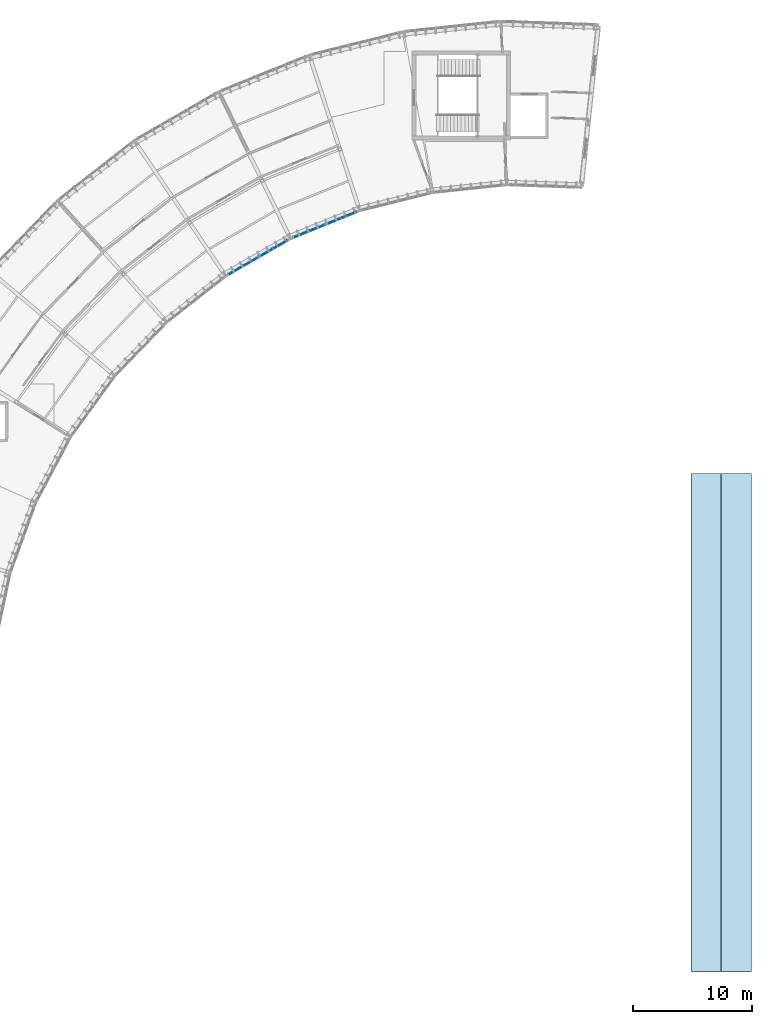
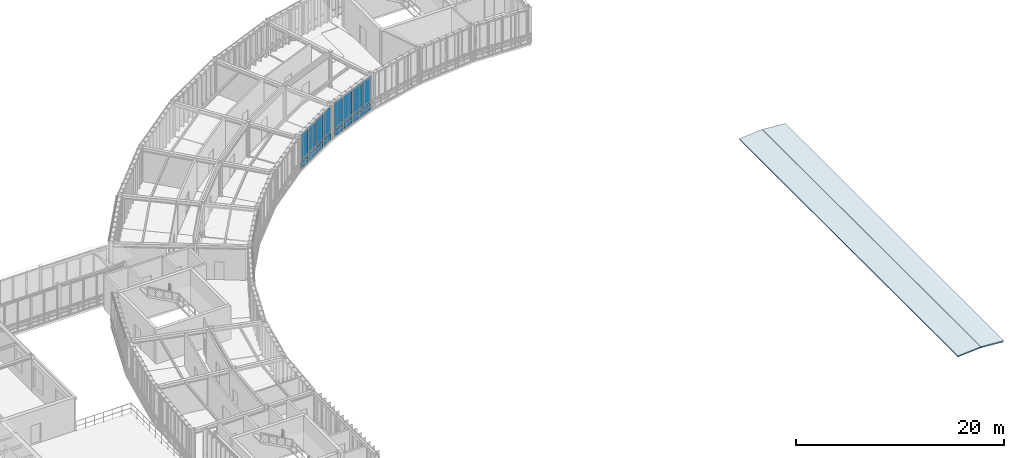
# One storey, part 27 of 52: 16 plates, 2 slabs, 2 elements without a shape of their own.
"""IFC4 building model written with IfcOpenShell, lengths in metres."""

from ifc_helpers import new_model, si_unit, direction, frame, origin, origin_2d, place, context, subcontext, project, spatial, polyline, rectangle, outline, extrude, material, layer, layer_set, type_object, element, aggregate, save


model = new_model("IFC4")

# Units and contexts
model_context = context("Model", 3, precision=1e-05, world=origin(), true_north=direction((0.0, 1.0)))
body_context = subcontext(model_context, "Body", "Model", "MODEL_VIEW")
ifc_project = project(units=[si_unit("LENGTHUNIT", "METRE"), si_unit("AREAUNIT", "SQUARE_METRE"), si_unit("VOLUMEUNIT", "CUBIC_METRE"), si_unit("PLANEANGLEUNIT", "RADIAN"), si_unit("MASSUNIT", "GRAM", prefix="KILO"), si_unit("THERMODYNAMICTEMPERATUREUNIT", "KELVIN"), si_unit("POWERUNIT", "WATT")], contexts=[model_context])

# Site, building, storey
site_placement = place(None, origin())
site = spatial("IfcSite", under=ifc_project, at=site_placement, CompositionType="ELEMENT")
building_placement = place(site_placement, origin())
building = spatial("IfcBuilding", under=site, at=building_placement, Name="Solvatero Civic Police Headquarters", CompositionType="ELEMENT")
storey_placement = place(building_placement, frame((0.0, 0.0, 13.5)))
storey = spatial("IfcBuildingStorey", under=building, at=storey_placement, Name="L03", CompositionType="ELEMENT", Elevation=13.5)

# Curtain wall, plates
ifc_material_1 = material(Name="Anodized Bronze Aluminium", Category="aluminium")
ifc_layer_1 = layer(ifc_material_1, 0.179931640625)
ifc_layer_set_1 = layer_set([ifc_layer_1], Name="Anodized Bronze Aluminium")
curtain_wall_type = type_object("IfcCurtainWallType", Name="CW-ARC-IN", PredefinedType="USERDEFINED", material=ifc_layer_set_1)
curtain_wall_1_placement = place(storey_placement, origin())
curtain_wall_1 = element("IfcCurtainWall", 1, at=curtain_wall_1_placement, inside=storey, type_object=curtain_wall_type, Name="Curtain Wall CW-R2-L03-ARC-IN-B04", ObjectType="UNITISED", PredefinedType="USERDEFINED")
ifc_material_2 = material(Name="Triple Low-E Laminated Glass", Category="glass")
ifc_layer_2 = layer(ifc_material_2, 0.0380859375)
ifc_layer_set_2 = layer_set([ifc_layer_2], Name="Triple Low-E Laminated Glass")
plate_type_1 = type_object("IfcPlateType", Name="CWP-GLZ-38", PredefinedType="CURTAIN_PANEL", material=ifc_layer_set_2)
plate_1_placement = place(storey_placement, frame((79.171875, 68.553955078125, 0.91015625), z_axis=(0.0, 0.0, 1.0), x_axis=(-0.927183854567, -0.374606593416, 0.0)))
plate_1 = element("IfcPlate", 2, at=plate_1_placement, type_object=plate_type_1, Name="CW-R2-L03-ARC-IN-B04 Vision Glazing 1", PredefinedType="CURTAIN_PANEL", context=body_context, shape_type="SweptSolid", body=[
    extrude(rectangle(XDim=1.28173828125, YDim=0.0380859375, at=origin_2d()), origin(), (0.0, 0.0, 1.0), 3.030029296875),
])
plate_2_placement = place(storey_placement, frame((76.461181640625, 67.458984375, 0.91015625), z_axis=(0.0, 0.0, 1.0), x_axis=(-0.927183854567, -0.374606593416, 0.0)))
plate_2 = element("IfcPlate", 3, at=plate_2_placement, type_object=plate_type_1, Name="CW-R2-L03-ARC-IN-B04 Vision Glazing 3", PredefinedType="CURTAIN_PANEL", context=body_context, shape_type="SweptSolid", body=[
    extrude(rectangle(XDim=1.28173828125, YDim=0.0380859375, at=origin_2d()), origin(), (0.0, 0.0, 1.0), 3.030029296875),
])

curtain_wall_2_placement = place(storey_placement, origin())
curtain_wall_2 = element("IfcCurtainWall", 4, at=curtain_wall_2_placement, inside=storey, type_object=curtain_wall_type, Name="Curtain Wall CW-R2-L03-ARC-IN-B05", ObjectType="UNITISED", PredefinedType="USERDEFINED")
plate_3_placement = place(storey_placement, frame((73.393798828125, 66.076416015625, 0.91015625), z_axis=(0.0, 0.0, 1.0), x_axis=(-0.866025403784, -0.5, 0.0)))
plate_3 = element("IfcPlate", 5, at=plate_3_placement, type_object=plate_type_1, Name="CW-R2-L03-ARC-IN-B05 Vision Glazing 1", PredefinedType="CURTAIN_PANEL", context=body_context, shape_type="SweptSolid", body=[
    extrude(rectangle(XDim=1.28173828125, YDim=0.0380859375, at=origin_2d()), origin(), (0.0, 0.0, 1.0), 3.030029296875),
])
plate_4_placement = place(storey_placement, frame((70.862060546875, 64.614501953125, 0.91015625), z_axis=(0.0, 0.0, 1.0), x_axis=(-0.866025403784, -0.5, 0.0)))
plate_4 = element("IfcPlate", 6, at=plate_4_placement, type_object=plate_type_1, Name="CW-R2-L03-ARC-IN-B05 Vision Glazing 3", PredefinedType="CURTAIN_PANEL", context=body_context, shape_type="SweptSolid", body=[
    extrude(rectangle(XDim=1.28173828125, YDim=0.0380859375, at=origin_2d()), origin(), (0.0, 0.0, 1.0), 3.030029296875),
])

# Plate
ifc_material_3 = material(Name="Acoustic Ballistic Laminated Glass", Category="glass")
ifc_layer_3 = layer(ifc_material_3, 0.0439453125)
ifc_layer_set_3 = layer_set([ifc_layer_3], Name="Acoustic Ballistic Laminated Glass")
plate_type_2 = type_object("IfcPlateType", Name="CWP-GLZ-44", PredefinedType="CURTAIN_PANEL", material=ifc_layer_set_3)
plate_5_placement = place(storey_placement, frame((77.816650390625, 68.00634765625, 0.91015625), z_axis=(0.0, 0.0, 1.0), x_axis=(-0.927183854567, -0.374606593416, 0.0)))
plate_5 = element("IfcPlate", 7, at=plate_5_placement, type_object=plate_type_2, Name="CW-R2-L03-ARC-IN-B04 Vision Glazing 2", PredefinedType="CURTAIN_PANEL", context=body_context, shape_type="SweptSolid", body=[
    extrude(rectangle(XDim=1.28173828125, YDim=0.0439453125, at=origin_2d()), origin(), (0.0, 0.0, 1.0), 3.030029296875),
])

plate_6_placement = place(storey_placement, frame((75.10595703125, 66.911376953125, 0.91015625), z_axis=(0.0, 0.0, 1.0), x_axis=(-0.927183854567, -0.374606593416, 0.0)))
plate_6 = element("IfcPlate", 8, at=plate_6_placement, type_object=plate_type_2, Name="CW-R2-L03-ARC-IN-B04 Vision Glazing 4", PredefinedType="CURTAIN_PANEL", context=body_context, shape_type="SweptSolid", body=[
    extrude(rectangle(XDim=1.28173828125, YDim=0.0439453125, at=origin_2d()), origin(), (0.0, 0.0, 1.0), 3.030029296875),
])

plate_7_placement = place(storey_placement, frame((72.1279296875, 65.345458984375, 0.91015625), z_axis=(0.0, 0.0, 1.0), x_axis=(-0.866025403784, -0.5, 0.0)))
plate_7 = element("IfcPlate", 9, at=plate_7_placement, type_object=plate_type_2, Name="CW-R2-L03-ARC-IN-B05 Vision Glazing 2", PredefinedType="CURTAIN_PANEL", context=body_context, shape_type="SweptSolid", body=[
    extrude(rectangle(XDim=1.28173828125, YDim=0.0439453125, at=origin_2d()), origin(), (0.0, 0.0, 1.0), 3.030029296875),
])

plate_8_placement = place(storey_placement, frame((69.59619140625, 63.8837890625, 0.91015625), z_axis=(0.0, 0.0, 1.0), x_axis=(-0.866025403784, -0.5, 0.0)))
plate_8 = element("IfcPlate", 10, at=plate_8_placement, type_object=plate_type_2, Name="CW-R2-L03-ARC-IN-B05 Vision Glazing 4", PredefinedType="CURTAIN_PANEL", context=body_context, shape_type="SweptSolid", body=[
    extrude(rectangle(XDim=1.28173828125, YDim=0.0439453125, at=origin_2d()), origin(), (0.0, 0.0, 1.0), 3.030029296875),
])

ifc_material_4 = material(Name="Insulated Bronze Aluminium Spandrel", Category="aluminium")
ifc_layer_4 = layer(ifc_material_4, 0.06005859375)
ifc_layer_set_4 = layer_set([ifc_layer_4], Name="Insulated Bronze Aluminium Spandrel")
plate_type_3 = type_object("IfcPlateType", Name="CWP-SPN-60", PredefinedType="CURTAIN_PANEL", material=ifc_layer_set_4)
plate_9_placement = place(storey_placement, frame((79.171875, 68.553955078125, 0.06005859375), z_axis=(0.0, 0.0, 1.0), x_axis=(-0.927183854567, -0.374606593416, 0.0)))
plate_9 = element("IfcPlate", 11, at=plate_9_placement, type_object=plate_type_3, Name="CW-R2-L03-ARC-IN-B04 Spandrel Panel 1", PredefinedType="CURTAIN_PANEL", context=body_context, shape_type="SweptSolid", body=[
    extrude(rectangle(XDim=1.28173828125, YDim=0.06005859375, at=origin_2d()), origin(), (0.0, 0.0, 1.0), 0.72998046875),
])

plate_10_placement = place(storey_placement, frame((76.461181640625, 67.458984375, 0.06005859375), z_axis=(0.0, 0.0, 1.0), x_axis=(-0.927183854567, -0.374606593416, 0.0)))
plate_10 = element("IfcPlate", 12, at=plate_10_placement, type_object=plate_type_3, Name="CW-R2-L03-ARC-IN-B04 Spandrel Panel 3", PredefinedType="CURTAIN_PANEL", context=body_context, shape_type="SweptSolid", body=[
    extrude(rectangle(XDim=1.28173828125, YDim=0.06005859375, at=origin_2d()), origin(), (0.0, 0.0, 1.0), 0.72998046875),
])

plate_11_placement = place(storey_placement, frame((73.393798828125, 66.076416015625, 0.06005859375), z_axis=(0.0, 0.0, 1.0), x_axis=(-0.866025403784, -0.5, 0.0)))
plate_11 = element("IfcPlate", 13, at=plate_11_placement, type_object=plate_type_3, Name="CW-R2-L03-ARC-IN-B05 Spandrel Panel 1", PredefinedType="CURTAIN_PANEL", context=body_context, shape_type="SweptSolid", body=[
    extrude(rectangle(XDim=1.28173828125, YDim=0.06005859375, at=origin_2d()), origin(), (0.0, 0.0, 1.0), 0.72998046875),
])

plate_12_placement = place(storey_placement, frame((70.862060546875, 64.614501953125, 0.06005859375), z_axis=(0.0, 0.0, 1.0), x_axis=(-0.866025403784, -0.5, 0.0)))
plate_12 = element("IfcPlate", 14, at=plate_12_placement, type_object=plate_type_3, Name="CW-R2-L03-ARC-IN-B05 Spandrel Panel 3", PredefinedType="CURTAIN_PANEL", context=body_context, shape_type="SweptSolid", body=[
    extrude(rectangle(XDim=1.28173828125, YDim=0.06005859375, at=origin_2d()), origin(), (0.0, 0.0, 1.0), 0.72998046875),
])

ifc_material_5 = material(Name="Limestone Veneer Spandrel Panel", Category="masonry")
ifc_layer_5 = layer(ifc_material_5, 0.074951171875)
ifc_layer_set_5 = layer_set([ifc_layer_5], Name="Limestone Veneer Spandrel Panel")
plate_type_4 = type_object("IfcPlateType", Name="CWP-SPN-75", PredefinedType="CURTAIN_PANEL", material=ifc_layer_set_5)
plate_13_placement = place(storey_placement, frame((77.816650390625, 68.00634765625, 0.06005859375), z_axis=(0.0, 0.0, 1.0), x_axis=(-0.927183854567, -0.374606593416, 0.0)))
plate_13 = element("IfcPlate", 15, at=plate_13_placement, type_object=plate_type_4, Name="CW-R2-L03-ARC-IN-B04 Spandrel Panel 2", PredefinedType="CURTAIN_PANEL", context=body_context, shape_type="SweptSolid", body=[
    extrude(rectangle(XDim=1.28173828125, YDim=0.074951171875, at=origin_2d()), origin(), (0.0, 0.0, 1.0), 0.72998046875),
])

plate_14_placement = place(storey_placement, frame((75.10595703125, 66.911376953125, 0.06005859375), z_axis=(0.0, 0.0, 1.0), x_axis=(-0.927183854567, -0.374606593416, 0.0)))
plate_14 = element("IfcPlate", 16, at=plate_14_placement, type_object=plate_type_4, Name="CW-R2-L03-ARC-IN-B04 Spandrel Panel 4", PredefinedType="CURTAIN_PANEL", context=body_context, shape_type="SweptSolid", body=[
    extrude(rectangle(XDim=1.28173828125, YDim=0.074951171875, at=origin_2d()), origin(), (0.0, 0.0, 1.0), 0.72998046875),
])

aggregate(curtain_wall_1, [plate_9, plate_1, plate_13, plate_5, plate_10, plate_2, plate_14, plate_6])

plate_15_placement = place(storey_placement, frame((72.1279296875, 65.345458984375, 0.06005859375), z_axis=(0.0, 0.0, 1.0), x_axis=(-0.866025403784, -0.5, 0.0)))
plate_15 = element("IfcPlate", 17, at=plate_15_placement, type_object=plate_type_4, Name="CW-R2-L03-ARC-IN-B05 Spandrel Panel 2", PredefinedType="CURTAIN_PANEL", context=body_context, shape_type="SweptSolid", body=[
    extrude(rectangle(XDim=1.28173828125, YDim=0.074951171875, at=origin_2d()), origin(), (0.0, 0.0, 1.0), 0.72998046875),
])

plate_16_placement = place(storey_placement, frame((69.59619140625, 63.8837890625, 0.06005859375), z_axis=(0.0, 0.0, 1.0), x_axis=(-0.866025403784, -0.5, 0.0)))
plate_16 = element("IfcPlate", 18, at=plate_16_placement, type_object=plate_type_4, Name="CW-R2-L03-ARC-IN-B05 Spandrel Panel 4", PredefinedType="CURTAIN_PANEL", context=body_context, shape_type="SweptSolid", body=[
    extrude(rectangle(XDim=1.28173828125, YDim=0.074951171875, at=origin_2d()), origin(), (0.0, 0.0, 1.0), 0.72998046875),
])

aggregate(curtain_wall_2, [plate_11, plate_3, plate_15, plate_7, plate_12, plate_4, plate_16, plate_8])

# Slabs
ifc_material_6 = material(Name="Concrete C35/45", Category="concrete")
ifc_layer_6 = layer(ifc_material_6, 0.159912109375)
ifc_layer_set_6 = layer_set([ifc_layer_6], Name="Concrete C35/45")
slab_type = type_object("IfcSlabType", Name="SLB-RF-VLT-160", PredefinedType="ROOF", material=ifc_layer_set_6)
for number, where, z_axis, x_axis, name in (
    (19, (107.974853515625, 4.840087890625, 0.1142578125), (-0.073375686048, 0.0, 0.997304371141), (0.997304371141, 0.0, 0.073375686048), "VLT1 Barrel Vault Roof Slab Facet 5"),
    (20, (110.52978515625, 4.840087890625, 0.2978515625), (0.073375686048, 0.0, 0.997304371141), (0.997304371141, 0.0, -0.073375686048), "VLT1 Barrel Vault Roof Slab Facet 6"),
):
    element("IfcSlab", number, at=place(storey_placement, frame(where, z_axis=z_axis, x_axis=x_axis)), inside=storey, type_object=slab_type, Name=name, PredefinedType="ROOF", context=body_context, shape_type="SweptSolid", body=[
        extrude(outline(polyline([(0.0, 0.0), (2.5021060774756982, 0.0), (2.5021060774756982, 41.9599609375), (0.0, 41.9599609375), (0.0, 0.0)])), origin(), (0.0, 0.0, -1.0), 0.159912109375),
    ])

save(model, "model.ifc")
